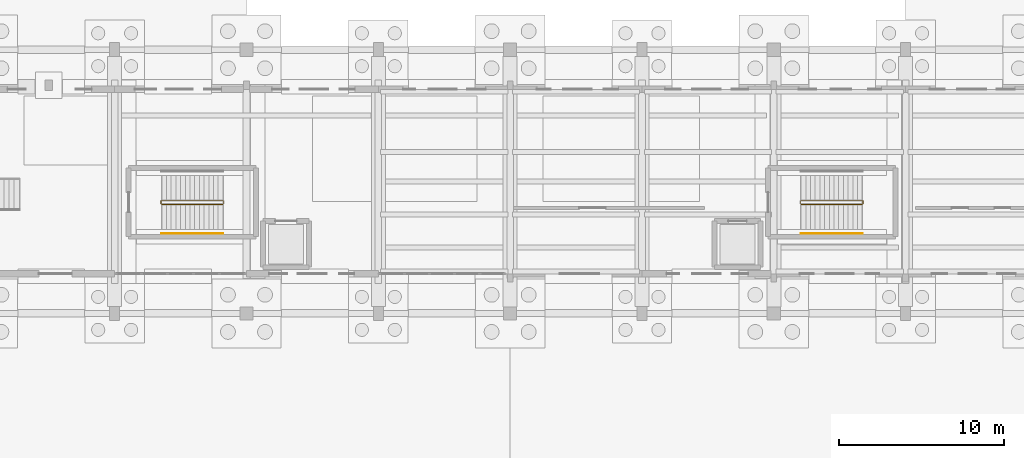
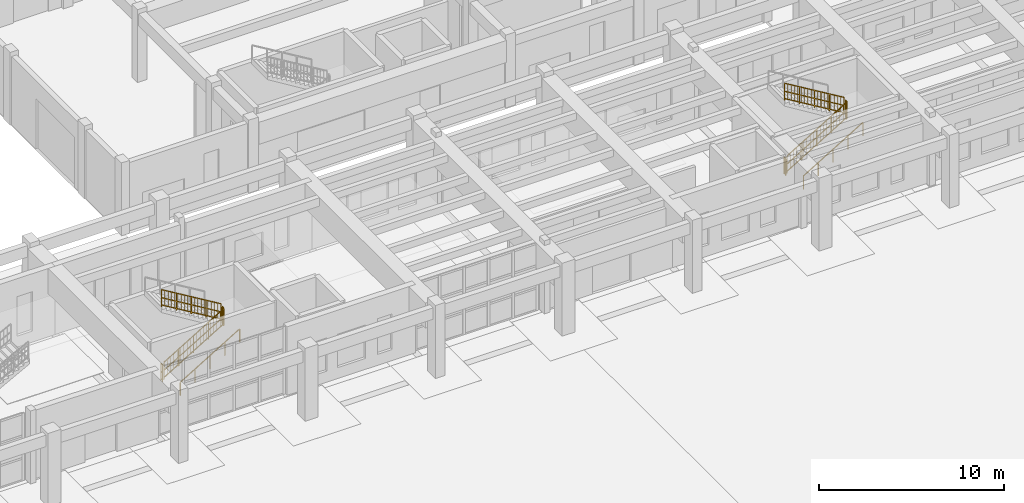
# One storey, part 62 of 68: 10 railings.
"""IFC4 building model written with IfcOpenShell, lengths in metres."""

from ifc_helpers import new_model, si_unit, direction, frame, origin, origin_2d, place, context, subcontext, project, spatial, rectangle, extrude, material, layer, layer_set, type_object, element, save


model = new_model("IFC4")

# Units and contexts
model_context = context("Model", 3, precision=1e-05, world=origin(), true_north=direction((0.0, 1.0)))
body_context = subcontext(model_context, "Body", "Model", "MODEL_VIEW")
ifc_project = project(units=[si_unit("LENGTHUNIT", "METRE"), si_unit("AREAUNIT", "SQUARE_METRE"), si_unit("VOLUMEUNIT", "CUBIC_METRE"), si_unit("PLANEANGLEUNIT", "RADIAN"), si_unit("MASSUNIT", "GRAM", prefix="KILO")], contexts=[model_context])

# Site, building, storey
site_placement = place(None, origin())
site = spatial("IfcSite", under=ifc_project, at=site_placement, CompositionType="ELEMENT")
building_placement = place(site_placement, origin())
building = spatial("IfcBuilding", under=site, at=building_placement, Name="Serraluz Foothill Cableway Terminal", CompositionType="ELEMENT")
storey_placement = place(building_placement, origin())
storey = spatial("IfcBuildingStorey", under=building, at=storey_placement, Name="L00", CompositionType="ELEMENT", Elevation=0.0)

# Railings
ifc_material_1 = material(Name="Steel ASTM A572 Grade 50", Category="steel")
ifc_layer_1 = layer(ifc_material_1, 0.054931640625, Name="Steel ASTM A572 Grade 50", Category="steel")
ifc_layer_set_1 = layer_set([ifc_layer_1], Name="Steel ASTM A572 Grade 50")
railing_type_1 = type_object("IfcRailingType", Name="TYP-RL-GRD-1150", PredefinedType="GUARDRAIL", material=ifc_layer_set_1)
railing_1_placement = place(storey_placement, frame((66.860107421875, 62.610107421875, 0.17138671875)))
element("IfcRailing", 1, at=railing_1_placement, inside=storey, type_object=railing_type_1, Name="L00 ST-03 stair guard 1", PredefinedType="GUARDRAIL", context=body_context, shape_type="SweptSolid", body=[
    extrude(rectangle(XDim=0.048095703125, YDim=0.048095703125, at=origin_2d()), frame((0.0, 0.0, 1.1259765625), z_axis=(0.856919398105, 0.0, 0.515450429384), x_axis=(0.0, 1.0, 0.0)), (0.0, 0.0, 1.0), 4.323486328125),
    extrude(rectangle(XDim=0.048095703125, YDim=0.048095703125, at=origin_2d()), frame((0.0, 0.0, 0.597900390625), z_axis=(0.856919398105, 0.0, 0.515450429384), x_axis=(0.0, 1.0, 0.0)), (0.0, 0.0, 1.0), 4.323486328125),
    extrude(rectangle(XDim=0.048095703125, YDim=0.048095703125, at=origin_2d()), frame((0.0, 0.0, 0.1201171875), z_axis=(0.856919398105, 0.0, 0.515450429384), x_axis=(0.0, 1.0, 0.0)), (0.0, 0.0, 1.0), 4.323486328125),
    extrude(rectangle(XDim=0.02001953125, YDim=0.02001953125, at=origin_2d()), frame((0.205810546875, 0.0, 0.243896484375)), (0.0, 0.0, 1.0), 0.981689453125),
    extrude(rectangle(XDim=0.02001953125, YDim=0.02001953125, at=origin_2d()), frame((0.41162109375, 0.0, 0.36767578125)), (0.0, 0.0, 1.0), 0.981689453125),
    extrude(rectangle(XDim=0.02001953125, YDim=0.02001953125, at=origin_2d()), frame((0.617431640625, 0.0, 0.491455078125)), (0.0, 0.0, 1.0), 0.981689453125),
    extrude(rectangle(XDim=0.02001953125, YDim=0.02001953125, at=origin_2d()), frame((0.8232421875, 0.0, 0.615234375)), (0.0, 0.0, 1.0), 0.981689453125),
    extrude(rectangle(XDim=0.02001953125, YDim=0.02001953125, at=origin_2d()), frame((1.029052734375, 0.0, 0.739013671875)), (0.0, 0.0, 1.0), 0.981689453125),
    extrude(rectangle(XDim=0.02001953125, YDim=0.02001953125, at=origin_2d()), frame((1.23486328125, 0.0, 0.86279296875)), (0.0, 0.0, 1.0), 0.981689453125),
    extrude(rectangle(XDim=0.02001953125, YDim=0.02001953125, at=origin_2d()), frame((1.440673828125, 0.0, 0.986572265625)), (0.0, 0.0, 1.0), 0.981689453125),
    extrude(rectangle(XDim=0.02001953125, YDim=0.02001953125, at=origin_2d()), frame((1.646484375, 0.0, 1.1103515625)), (0.0, 0.0, 1.0), 0.981689453125),
    extrude(rectangle(XDim=0.02001953125, YDim=0.02001953125, at=origin_2d()), frame((2.058349609375, 0.0, 1.358154296875)), (0.0, 0.0, 1.0), 0.981689453125),
    extrude(rectangle(XDim=0.02001953125, YDim=0.02001953125, at=origin_2d()), frame((2.26416015625, 0.0, 1.48193359375)), (0.0, 0.0, 1.0), 0.981689453125),
    extrude(rectangle(XDim=0.02001953125, YDim=0.02001953125, at=origin_2d()), frame((2.469970703125, 0.0, 1.605712890625)), (0.0, 0.0, 1.0), 0.981689453125),
    extrude(rectangle(XDim=0.02001953125, YDim=0.02001953125, at=origin_2d()), frame((2.67578125, 0.0, 1.7294921875)), (0.0, 0.0, 1.0), 0.981689453125),
    extrude(rectangle(XDim=0.02001953125, YDim=0.02001953125, at=origin_2d()), frame((2.881591796875, 0.0, 1.853271484375)), (0.0, 0.0, 1.0), 0.981689453125),
    extrude(rectangle(XDim=0.02001953125, YDim=0.02001953125, at=origin_2d()), frame((3.08740234375, 0.0, 1.97705078125)), (0.0, 0.0, 1.0), 0.981689453125),
    extrude(rectangle(XDim=0.02001953125, YDim=0.02001953125, at=origin_2d()), frame((3.293212890625, 0.0, 2.100830078125)), (0.0, 0.0, 1.0), 0.981689453125),
    extrude(rectangle(XDim=0.02001953125, YDim=0.02001953125, at=origin_2d()), frame((3.4990234375, 0.0, 2.224609375)), (0.0, 0.0, 1.0), 0.981689453125),
    extrude(rectangle(XDim=0.0439453125, YDim=0.0439453125, at=origin_2d()), origin(), (0.0, 0.0, 1.0), 1.101806640625),
    extrude(rectangle(XDim=0.0439453125, YDim=0.0439453125, at=origin_2d()), frame((0.92626953125, 0.0, 0.55712890625)), (0.0, 0.0, 1.0), 1.101806640625),
    extrude(rectangle(XDim=0.0439453125, YDim=0.0439453125, at=origin_2d()), frame((1.8525390625, 0.0, 1.1142578125)), (0.0, 0.0, 1.0), 1.101806640625),
    extrude(rectangle(XDim=0.0439453125, YDim=0.0439453125, at=origin_2d()), frame((2.778564453125, 0.0, 1.67138671875)), (0.0, 0.0, 1.0), 1.101806640625),
    extrude(rectangle(XDim=0.0439453125, YDim=0.0439453125, at=origin_2d()), frame((3.704833984375, 0.0, 2.228515625)), (0.0, 0.0, 1.0), 1.101806640625),
])
railing_2_placement = place(storey_placement, frame((70.614990234375, 62.659912109375, 2.39990234375)))
element("IfcRailing", 2, at=railing_2_placement, inside=storey, type_object=railing_type_1, Name="L00 ST-03 stair guard 2", PredefinedType="GUARDRAIL", context=body_context, shape_type="SweptSolid", body=[
    extrude(rectangle(XDim=0.048095703125, YDim=0.048095703125, at=origin_2d()), frame((0.0, 0.0, 1.1259765625), z_axis=(0.0, 1.0, 0.0), x_axis=(-1.0, 0.0, 0.0)), (0.0, 0.0, 1.0), 0.16015625),
    extrude(rectangle(XDim=0.048095703125, YDim=0.048095703125, at=origin_2d()), frame((0.0, 0.0, 0.597900390625), z_axis=(0.0, 1.0, 0.0), x_axis=(-1.0, 0.0, 0.0)), (0.0, 0.0, 1.0), 0.16015625),
    extrude(rectangle(XDim=0.048095703125, YDim=0.048095703125, at=origin_2d()), frame((0.0, 0.0, 0.1201171875), z_axis=(0.0, 1.0, 0.0), x_axis=(-1.0, 0.0, 0.0)), (0.0, 0.0, 1.0), 0.16015625),
    extrude(rectangle(XDim=0.0439453125, YDim=0.0439453125, at=origin_2d()), origin(), (0.0, 0.0, 1.0), 1.101806640625),
    extrude(rectangle(XDim=0.0439453125, YDim=0.0439453125, at=origin_2d()), frame((0.0, 0.16015625, 0.0)), (0.0, 0.0, 1.0), 1.101806640625),
])
railing_3_placement = place(storey_placement, frame((70.56494140625, 62.8701171875, 2.571533203125)))
element("IfcRailing", 3, at=railing_3_placement, inside=storey, type_object=railing_type_1, Name="L00 ST-03 stair guard 3", PredefinedType="GUARDRAIL", context=body_context, shape_type="SweptSolid", body=[
    extrude(rectangle(XDim=0.048095703125, YDim=0.048095703125, at=origin_2d()), frame((0.0, 0.0, 1.1259765625), z_axis=(-0.856919398105, 0.0, 0.515450429384), x_axis=(0.0, -1.0, 0.0)), (0.0, 0.0, 1.0), 4.323486328125),
    extrude(rectangle(XDim=0.048095703125, YDim=0.048095703125, at=origin_2d()), frame((0.0, 0.0, 0.597900390625), z_axis=(-0.856919398105, 0.0, 0.515450429384), x_axis=(0.0, -1.0, 0.0)), (0.0, 0.0, 1.0), 4.323486328125),
    extrude(rectangle(XDim=0.048095703125, YDim=0.048095703125, at=origin_2d()), frame((0.0, 0.0, 0.1201171875), z_axis=(-0.856919398105, 0.0, 0.515450429384), x_axis=(0.0, -1.0, 0.0)), (0.0, 0.0, 1.0), 4.323486328125),
    extrude(rectangle(XDim=0.02001953125, YDim=0.02001953125, at=origin_2d()), frame((-0.205810546875, 0.0, 0.243896484375)), (0.0, 0.0, 1.0), 0.981689453125),
    extrude(rectangle(XDim=0.02001953125, YDim=0.02001953125, at=origin_2d()), frame((-0.41162109375, 0.0, 0.36767578125)), (0.0, 0.0, 1.0), 0.981689453125),
    extrude(rectangle(XDim=0.02001953125, YDim=0.02001953125, at=origin_2d()), frame((-0.617431640625, 0.0, 0.491455078125)), (0.0, 0.0, 1.0), 0.981689453125),
    extrude(rectangle(XDim=0.02001953125, YDim=0.02001953125, at=origin_2d()), frame((-0.8232421875, 0.0, 0.615234375)), (0.0, 0.0, 1.0), 0.981689453125),
    extrude(rectangle(XDim=0.02001953125, YDim=0.02001953125, at=origin_2d()), frame((-1.029052734375, 0.0, 0.739013671875)), (0.0, 0.0, 1.0), 0.981689453125),
    extrude(rectangle(XDim=0.02001953125, YDim=0.02001953125, at=origin_2d()), frame((-1.23486328125, 0.0, 0.86279296875)), (0.0, 0.0, 1.0), 0.981689453125),
    extrude(rectangle(XDim=0.02001953125, YDim=0.02001953125, at=origin_2d()), frame((-1.440673828125, 0.0, 0.986572265625)), (0.0, 0.0, 1.0), 0.981689453125),
    extrude(rectangle(XDim=0.02001953125, YDim=0.02001953125, at=origin_2d()), frame((-1.646484375, 0.0, 1.1103515625)), (0.0, 0.0, 1.0), 0.981689453125),
    extrude(rectangle(XDim=0.02001953125, YDim=0.02001953125, at=origin_2d()), frame((-2.058349609375, 0.0, 1.358154296875)), (0.0, 0.0, 1.0), 0.981689453125),
    extrude(rectangle(XDim=0.02001953125, YDim=0.02001953125, at=origin_2d()), frame((-2.26416015625, 0.0, 1.48193359375)), (0.0, 0.0, 1.0), 0.981689453125),
    extrude(rectangle(XDim=0.02001953125, YDim=0.02001953125, at=origin_2d()), frame((-2.469970703125, 0.0, 1.605712890625)), (0.0, 0.0, 1.0), 0.981689453125),
    extrude(rectangle(XDim=0.02001953125, YDim=0.02001953125, at=origin_2d()), frame((-2.67578125, 0.0, 1.7294921875)), (0.0, 0.0, 1.0), 0.981689453125),
    extrude(rectangle(XDim=0.02001953125, YDim=0.02001953125, at=origin_2d()), frame((-2.881591796875, 0.0, 1.853271484375)), (0.0, 0.0, 1.0), 0.981689453125),
    extrude(rectangle(XDim=0.02001953125, YDim=0.02001953125, at=origin_2d()), frame((-3.08740234375, 0.0, 1.97705078125)), (0.0, 0.0, 1.0), 0.981689453125),
    extrude(rectangle(XDim=0.02001953125, YDim=0.02001953125, at=origin_2d()), frame((-3.293212890625, 0.0, 2.100830078125)), (0.0, 0.0, 1.0), 0.981689453125),
    extrude(rectangle(XDim=0.02001953125, YDim=0.02001953125, at=origin_2d()), frame((-3.4990234375, 0.0, 2.224609375)), (0.0, 0.0, 1.0), 0.981689453125),
    extrude(rectangle(XDim=0.0439453125, YDim=0.0439453125, at=origin_2d()), origin(), (0.0, 0.0, 1.0), 1.101806640625),
    extrude(rectangle(XDim=0.0439453125, YDim=0.0439453125, at=origin_2d()), frame((-0.92626953125, 0.0, 0.55712890625)), (0.0, 0.0, 1.0), 1.101806640625),
    extrude(rectangle(XDim=0.0439453125, YDim=0.0439453125, at=origin_2d()), frame((-1.8525390625, 0.0, 1.1142578125)), (0.0, 0.0, 1.0), 1.101806640625),
    extrude(rectangle(XDim=0.0439453125, YDim=0.0439453125, at=origin_2d()), frame((-2.778564453125, 0.0, 1.67138671875)), (0.0, 0.0, 1.0), 1.101806640625),
    extrude(rectangle(XDim=0.0439453125, YDim=0.0439453125, at=origin_2d()), frame((-3.704833984375, 0.0, 2.228515625)), (0.0, 0.0, 1.0), 1.101806640625),
])
railing_4_placement = place(storey_placement, frame((66.81005859375, 62.659912109375, 0.0)))
element("IfcRailing", 4, at=railing_4_placement, inside=storey, type_object=railing_type_1, Name="L00 ST-03 stair guard 4", PredefinedType="GUARDRAIL", context=body_context, shape_type="SweptSolid", body=[
    extrude(rectangle(XDim=0.048095703125, YDim=0.048095703125, at=origin_2d()), frame((0.0, 0.0, 1.1259765625), z_axis=(0.0, 1.0, 0.0), x_axis=(-1.0, 0.0, 0.0)), (0.0, 0.0, 1.0), 0.16015625),
    extrude(rectangle(XDim=0.048095703125, YDim=0.048095703125, at=origin_2d()), frame((0.0, 0.0, 0.597900390625), z_axis=(0.0, 1.0, 0.0), x_axis=(-1.0, 0.0, 0.0)), (0.0, 0.0, 1.0), 0.16015625),
    extrude(rectangle(XDim=0.048095703125, YDim=0.048095703125, at=origin_2d()), frame((0.0, 0.0, 0.1201171875), z_axis=(0.0, 1.0, 0.0), x_axis=(-1.0, 0.0, 0.0)), (0.0, 0.0, 1.0), 0.16015625),
    extrude(rectangle(XDim=0.0439453125, YDim=0.0439453125, at=origin_2d()), origin(), (0.0, 0.0, 1.0), 1.101806640625),
    extrude(rectangle(XDim=0.0439453125, YDim=0.0439453125, at=origin_2d()), frame((0.0, 0.16015625, 0.0)), (0.0, 0.0, 1.0), 1.101806640625),
])
railing_5_placement = place(storey_placement, frame((105.659912109375, 62.610107421875, 0.17138671875)))
element("IfcRailing", 5, at=railing_5_placement, inside=storey, type_object=railing_type_1, Name="L00 ST-04 stair guard 1", PredefinedType="GUARDRAIL", context=body_context, shape_type="SweptSolid", body=[
    extrude(rectangle(XDim=0.048095703125, YDim=0.048095703125, at=origin_2d()), frame((0.0, 0.0, 1.1259765625), z_axis=(0.856934400257, 0.0, 0.515425487977), x_axis=(0.0, 1.0, 0.0)), (0.0, 0.0, 1.0), 4.32373046875),
    extrude(rectangle(XDim=0.048095703125, YDim=0.048095703125, at=origin_2d()), frame((0.0, 0.0, 0.597900390625), z_axis=(0.856934400257, 0.0, 0.515425487977), x_axis=(0.0, 1.0, 0.0)), (0.0, 0.0, 1.0), 4.32373046875),
    extrude(rectangle(XDim=0.048095703125, YDim=0.048095703125, at=origin_2d()), frame((0.0, 0.0, 0.1201171875), z_axis=(0.856934400257, 0.0, 0.515425487977), x_axis=(0.0, 1.0, 0.0)), (0.0, 0.0, 1.0), 4.32373046875),
    extrude(rectangle(XDim=0.02001953125, YDim=0.02001953125, at=origin_2d()), frame((0.205810546875, 0.0, 0.243896484375)), (0.0, 0.0, 1.0), 0.981689453125),
    extrude(rectangle(XDim=0.02001953125, YDim=0.02001953125, at=origin_2d()), frame((0.41162109375, 0.0, 0.36767578125)), (0.0, 0.0, 1.0), 0.981689453125),
    extrude(rectangle(XDim=0.02001953125, YDim=0.02001953125, at=origin_2d()), frame((0.617431640625, 0.0, 0.491455078125)), (0.0, 0.0, 1.0), 0.981689453125),
    extrude(rectangle(XDim=0.02001953125, YDim=0.02001953125, at=origin_2d()), frame((0.8232421875, 0.0, 0.615234375)), (0.0, 0.0, 1.0), 0.981689453125),
    extrude(rectangle(XDim=0.02001953125, YDim=0.02001953125, at=origin_2d()), frame((1.029296875, 0.0, 0.739013671875)), (0.0, 0.0, 1.0), 0.981689453125),
    extrude(rectangle(XDim=0.02001953125, YDim=0.02001953125, at=origin_2d()), frame((1.235107421875, 0.0, 0.86279296875)), (0.0, 0.0, 1.0), 0.981689453125),
    extrude(rectangle(XDim=0.02001953125, YDim=0.02001953125, at=origin_2d()), frame((1.44091796875, 0.0, 0.986572265625)), (0.0, 0.0, 1.0), 0.981689453125),
    extrude(rectangle(XDim=0.02001953125, YDim=0.02001953125, at=origin_2d()), frame((1.646728515625, 0.0, 1.1103515625)), (0.0, 0.0, 1.0), 0.981689453125),
    extrude(rectangle(XDim=0.02001953125, YDim=0.02001953125, at=origin_2d()), frame((2.058349609375, 0.0, 1.358154296875)), (0.0, 0.0, 1.0), 0.981689453125),
    extrude(rectangle(XDim=0.02001953125, YDim=0.02001953125, at=origin_2d()), frame((2.26416015625, 0.0, 1.48193359375)), (0.0, 0.0, 1.0), 0.981689453125),
    extrude(rectangle(XDim=0.02001953125, YDim=0.02001953125, at=origin_2d()), frame((2.469970703125, 0.0, 1.605712890625)), (0.0, 0.0, 1.0), 0.981689453125),
    extrude(rectangle(XDim=0.02001953125, YDim=0.02001953125, at=origin_2d()), frame((2.67578125, 0.0, 1.7294921875)), (0.0, 0.0, 1.0), 0.981689453125),
    extrude(rectangle(XDim=0.02001953125, YDim=0.02001953125, at=origin_2d()), frame((2.8818359375, 0.0, 1.853271484375)), (0.0, 0.0, 1.0), 0.981689453125),
    extrude(rectangle(XDim=0.02001953125, YDim=0.02001953125, at=origin_2d()), frame((3.087646484375, 0.0, 1.97705078125)), (0.0, 0.0, 1.0), 0.981689453125),
    extrude(rectangle(XDim=0.02001953125, YDim=0.02001953125, at=origin_2d()), frame((3.29345703125, 0.0, 2.100830078125)), (0.0, 0.0, 1.0), 0.981689453125),
    extrude(rectangle(XDim=0.02001953125, YDim=0.02001953125, at=origin_2d()), frame((3.499267578125, 0.0, 2.224609375)), (0.0, 0.0, 1.0), 0.981689453125),
    extrude(rectangle(XDim=0.0439453125, YDim=0.0439453125, at=origin_2d()), origin(), (0.0, 0.0, 1.0), 1.101806640625),
    extrude(rectangle(XDim=0.0439453125, YDim=0.0439453125, at=origin_2d()), frame((0.92626953125, 0.0, 0.55712890625)), (0.0, 0.0, 1.0), 1.101806640625),
    extrude(rectangle(XDim=0.0439453125, YDim=0.0439453125, at=origin_2d()), frame((1.8525390625, 0.0, 1.1142578125)), (0.0, 0.0, 1.0), 1.101806640625),
    extrude(rectangle(XDim=0.0439453125, YDim=0.0439453125, at=origin_2d()), frame((2.77880859375, 0.0, 1.67138671875)), (0.0, 0.0, 1.0), 1.101806640625),
    extrude(rectangle(XDim=0.0439453125, YDim=0.0439453125, at=origin_2d()), frame((3.705078125, 0.0, 2.228515625)), (0.0, 0.0, 1.0), 1.101806640625),
])
railing_6_placement = place(storey_placement, frame((109.4150390625, 62.659912109375, 2.39990234375)))
element("IfcRailing", 6, at=railing_6_placement, inside=storey, type_object=railing_type_1, Name="L00 ST-04 stair guard 2", PredefinedType="GUARDRAIL", context=body_context, shape_type="SweptSolid", body=[
    extrude(rectangle(XDim=0.048095703125, YDim=0.048095703125, at=origin_2d()), frame((0.0, 0.0, 1.1259765625), z_axis=(0.0, 1.0, 0.0), x_axis=(-1.0, 0.0, 0.0)), (0.0, 0.0, 1.0), 0.16015625),
    extrude(rectangle(XDim=0.048095703125, YDim=0.048095703125, at=origin_2d()), frame((0.0, 0.0, 0.597900390625), z_axis=(0.0, 1.0, 0.0), x_axis=(-1.0, 0.0, 0.0)), (0.0, 0.0, 1.0), 0.16015625),
    extrude(rectangle(XDim=0.048095703125, YDim=0.048095703125, at=origin_2d()), frame((0.0, 0.0, 0.1201171875), z_axis=(0.0, 1.0, 0.0), x_axis=(-1.0, 0.0, 0.0)), (0.0, 0.0, 1.0), 0.16015625),
    extrude(rectangle(XDim=0.0439453125, YDim=0.0439453125, at=origin_2d()), origin(), (0.0, 0.0, 1.0), 1.101806640625),
    extrude(rectangle(XDim=0.0439453125, YDim=0.0439453125, at=origin_2d()), frame((0.0, 0.16015625, 0.0)), (0.0, 0.0, 1.0), 1.101806640625),
])
railing_7_placement = place(storey_placement, frame((109.364990234375, 62.8701171875, 2.571533203125)))
element("IfcRailing", 7, at=railing_7_placement, inside=storey, type_object=railing_type_1, Name="L00 ST-04 stair guard 3", PredefinedType="GUARDRAIL", context=body_context, shape_type="SweptSolid", body=[
    extrude(rectangle(XDim=0.048095703125, YDim=0.048095703125, at=origin_2d()), frame((0.0, 0.0, 1.1259765625), z_axis=(-0.856934400257, 0.0, 0.515425487977), x_axis=(0.0, -1.0, 0.0)), (0.0, 0.0, 1.0), 4.32373046875),
    extrude(rectangle(XDim=0.048095703125, YDim=0.048095703125, at=origin_2d()), frame((0.0, 0.0, 0.597900390625), z_axis=(-0.856934400257, 0.0, 0.515425487977), x_axis=(0.0, -1.0, 0.0)), (0.0, 0.0, 1.0), 4.32373046875),
    extrude(rectangle(XDim=0.048095703125, YDim=0.048095703125, at=origin_2d()), frame((0.0, 0.0, 0.1201171875), z_axis=(-0.856934400257, 0.0, 0.515425487977), x_axis=(0.0, -1.0, 0.0)), (0.0, 0.0, 1.0), 4.32373046875),
    extrude(rectangle(XDim=0.02001953125, YDim=0.02001953125, at=origin_2d()), frame((-0.205810546875, 0.0, 0.243896484375)), (0.0, 0.0, 1.0), 0.981689453125),
    extrude(rectangle(XDim=0.02001953125, YDim=0.02001953125, at=origin_2d()), frame((-0.41162109375, 0.0, 0.36767578125)), (0.0, 0.0, 1.0), 0.981689453125),
    extrude(rectangle(XDim=0.02001953125, YDim=0.02001953125, at=origin_2d()), frame((-0.617431640625, 0.0, 0.491455078125)), (0.0, 0.0, 1.0), 0.981689453125),
    extrude(rectangle(XDim=0.02001953125, YDim=0.02001953125, at=origin_2d()), frame((-0.8232421875, 0.0, 0.615234375)), (0.0, 0.0, 1.0), 0.981689453125),
    extrude(rectangle(XDim=0.02001953125, YDim=0.02001953125, at=origin_2d()), frame((-1.029296875, 0.0, 0.739013671875)), (0.0, 0.0, 1.0), 0.981689453125),
    extrude(rectangle(XDim=0.02001953125, YDim=0.02001953125, at=origin_2d()), frame((-1.235107421875, 0.0, 0.86279296875)), (0.0, 0.0, 1.0), 0.981689453125),
    extrude(rectangle(XDim=0.02001953125, YDim=0.02001953125, at=origin_2d()), frame((-1.44091796875, 0.0, 0.986572265625)), (0.0, 0.0, 1.0), 0.981689453125),
    extrude(rectangle(XDim=0.02001953125, YDim=0.02001953125, at=origin_2d()), frame((-1.646728515625, 0.0, 1.1103515625)), (0.0, 0.0, 1.0), 0.981689453125),
    extrude(rectangle(XDim=0.02001953125, YDim=0.02001953125, at=origin_2d()), frame((-2.058349609375, 0.0, 1.358154296875)), (0.0, 0.0, 1.0), 0.981689453125),
    extrude(rectangle(XDim=0.02001953125, YDim=0.02001953125, at=origin_2d()), frame((-2.26416015625, 0.0, 1.48193359375)), (0.0, 0.0, 1.0), 0.981689453125),
    extrude(rectangle(XDim=0.02001953125, YDim=0.02001953125, at=origin_2d()), frame((-2.469970703125, 0.0, 1.605712890625)), (0.0, 0.0, 1.0), 0.981689453125),
    extrude(rectangle(XDim=0.02001953125, YDim=0.02001953125, at=origin_2d()), frame((-2.67578125, 0.0, 1.7294921875)), (0.0, 0.0, 1.0), 0.981689453125),
    extrude(rectangle(XDim=0.02001953125, YDim=0.02001953125, at=origin_2d()), frame((-2.8818359375, 0.0, 1.853271484375)), (0.0, 0.0, 1.0), 0.981689453125),
    extrude(rectangle(XDim=0.02001953125, YDim=0.02001953125, at=origin_2d()), frame((-3.087646484375, 0.0, 1.97705078125)), (0.0, 0.0, 1.0), 0.981689453125),
    extrude(rectangle(XDim=0.02001953125, YDim=0.02001953125, at=origin_2d()), frame((-3.29345703125, 0.0, 2.100830078125)), (0.0, 0.0, 1.0), 0.981689453125),
    extrude(rectangle(XDim=0.02001953125, YDim=0.02001953125, at=origin_2d()), frame((-3.499267578125, 0.0, 2.224609375)), (0.0, 0.0, 1.0), 0.981689453125),
    extrude(rectangle(XDim=0.0439453125, YDim=0.0439453125, at=origin_2d()), origin(), (0.0, 0.0, 1.0), 1.101806640625),
    extrude(rectangle(XDim=0.0439453125, YDim=0.0439453125, at=origin_2d()), frame((-0.92626953125, 0.0, 0.55712890625)), (0.0, 0.0, 1.0), 1.101806640625),
    extrude(rectangle(XDim=0.0439453125, YDim=0.0439453125, at=origin_2d()), frame((-1.8525390625, 0.0, 1.1142578125)), (0.0, 0.0, 1.0), 1.101806640625),
    extrude(rectangle(XDim=0.0439453125, YDim=0.0439453125, at=origin_2d()), frame((-2.77880859375, 0.0, 1.67138671875)), (0.0, 0.0, 1.0), 1.101806640625),
    extrude(rectangle(XDim=0.0439453125, YDim=0.0439453125, at=origin_2d()), frame((-3.705078125, 0.0, 2.228515625)), (0.0, 0.0, 1.0), 1.101806640625),
])
railing_8_placement = place(storey_placement, frame((105.610107421875, 62.659912109375, 0.0)))
element("IfcRailing", 8, at=railing_8_placement, inside=storey, type_object=railing_type_1, Name="L00 ST-04 stair guard 4", PredefinedType="GUARDRAIL", context=body_context, shape_type="SweptSolid", body=[
    extrude(rectangle(XDim=0.048095703125, YDim=0.048095703125, at=origin_2d()), frame((0.0, 0.0, 1.1259765625), z_axis=(0.0, 1.0, 0.0), x_axis=(-1.0, 0.0, 0.0)), (0.0, 0.0, 1.0), 0.16015625),
    extrude(rectangle(XDim=0.048095703125, YDim=0.048095703125, at=origin_2d()), frame((0.0, 0.0, 0.597900390625), z_axis=(0.0, 1.0, 0.0), x_axis=(-1.0, 0.0, 0.0)), (0.0, 0.0, 1.0), 0.16015625),
    extrude(rectangle(XDim=0.048095703125, YDim=0.048095703125, at=origin_2d()), frame((0.0, 0.0, 0.1201171875), z_axis=(0.0, 1.0, 0.0), x_axis=(-1.0, 0.0, 0.0)), (0.0, 0.0, 1.0), 0.16015625),
    extrude(rectangle(XDim=0.0439453125, YDim=0.0439453125, at=origin_2d()), origin(), (0.0, 0.0, 1.0), 1.101806640625),
    extrude(rectangle(XDim=0.0439453125, YDim=0.0439453125, at=origin_2d()), frame((0.0, 0.16015625, 0.0)), (0.0, 0.0, 1.0), 1.101806640625),
])
ifc_material_2 = material(Name="Architectural bronze alloy C28000", Category="aluminium")
ifc_layer_2 = layer(ifc_material_2, 0.048095703125, Name="Architectural bronze alloy C28000", Category="aluminium")
ifc_layer_set_2 = layer_set([ifc_layer_2], Name="Architectural bronze alloy C28000")
railing_type_2 = type_object("IfcRailingType", Name="TYP-RL-HND-920", PredefinedType="HANDRAIL", material=ifc_layer_set_2)
railing_9_placement = place(storey_placement, frame((66.860107421875, 60.85009765625, 0.17138671875)))
element("IfcRailing", 9, at=railing_9_placement, inside=storey, type_object=railing_type_2, Name="L00 ST-03 stair handrail 1", PredefinedType="HANDRAIL", context=body_context, shape_type="SweptSolid", body=[
    extrude(rectangle(XDim=0.048095703125, YDim=0.048095703125, at=origin_2d()), frame((0.0, 0.0, 0.8759765625), z_axis=(0.856919398105, 0.0, 0.515450429384), x_axis=(0.0, 1.0, 0.0)), (0.0, 0.0, 1.0), 4.323486328125),
    extrude(rectangle(XDim=0.0439453125, YDim=0.0439453125, at=origin_2d()), origin(), (0.0, 0.0, 1.0), 0.851806640625),
    extrude(rectangle(XDim=0.0439453125, YDim=0.0439453125, at=origin_2d()), frame((0.92626953125, 0.0, 0.55712890625)), (0.0, 0.0, 1.0), 0.851806640625),
    extrude(rectangle(XDim=0.0439453125, YDim=0.0439453125, at=origin_2d()), frame((1.8525390625, 0.0, 1.1142578125)), (0.0, 0.0, 1.0), 0.851806640625),
    extrude(rectangle(XDim=0.0439453125, YDim=0.0439453125, at=origin_2d()), frame((2.778564453125, 0.0, 1.67138671875)), (0.0, 0.0, 1.0), 0.851806640625),
    extrude(rectangle(XDim=0.0439453125, YDim=0.0439453125, at=origin_2d()), frame((3.704833984375, 0.0, 2.228515625)), (0.0, 0.0, 1.0), 0.851806640625),
])
railing_10_placement = place(storey_placement, frame((105.659912109375, 60.85009765625, 0.17138671875)))
element("IfcRailing", 10, at=railing_10_placement, inside=storey, type_object=railing_type_2, Name="L00 ST-04 stair handrail 1", PredefinedType="HANDRAIL", context=body_context, shape_type="SweptSolid", body=[
    extrude(rectangle(XDim=0.048095703125, YDim=0.048095703125, at=origin_2d()), frame((0.0, 0.0, 0.8759765625), z_axis=(0.856934400257, 0.0, 0.515425487977), x_axis=(0.0, 1.0, 0.0)), (0.0, 0.0, 1.0), 4.32373046875),
    extrude(rectangle(XDim=0.0439453125, YDim=0.0439453125, at=origin_2d()), origin(), (0.0, 0.0, 1.0), 0.851806640625),
    extrude(rectangle(XDim=0.0439453125, YDim=0.0439453125, at=origin_2d()), frame((0.92626953125, 0.0, 0.55712890625)), (0.0, 0.0, 1.0), 0.851806640625),
    extrude(rectangle(XDim=0.0439453125, YDim=0.0439453125, at=origin_2d()), frame((1.8525390625, 0.0, 1.1142578125)), (0.0, 0.0, 1.0), 0.851806640625),
    extrude(rectangle(XDim=0.0439453125, YDim=0.0439453125, at=origin_2d()), frame((2.77880859375, 0.0, 1.67138671875)), (0.0, 0.0, 1.0), 0.851806640625),
    extrude(rectangle(XDim=0.0439453125, YDim=0.0439453125, at=origin_2d()), frame((3.705078125, 0.0, 2.228515625)), (0.0, 0.0, 1.0), 0.851806640625),
])

save(model, "model.ifc")
